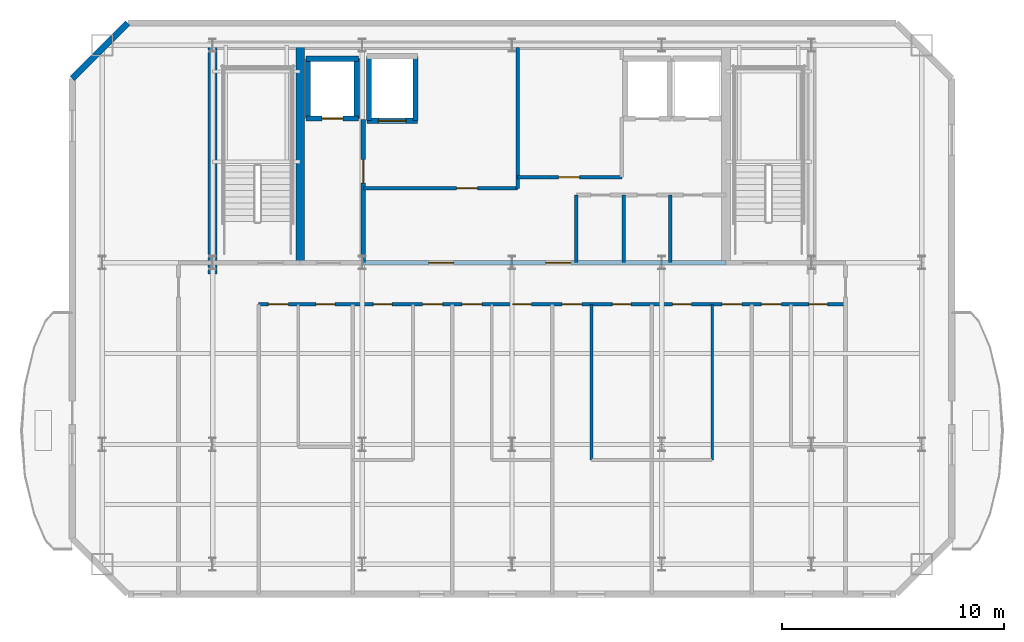
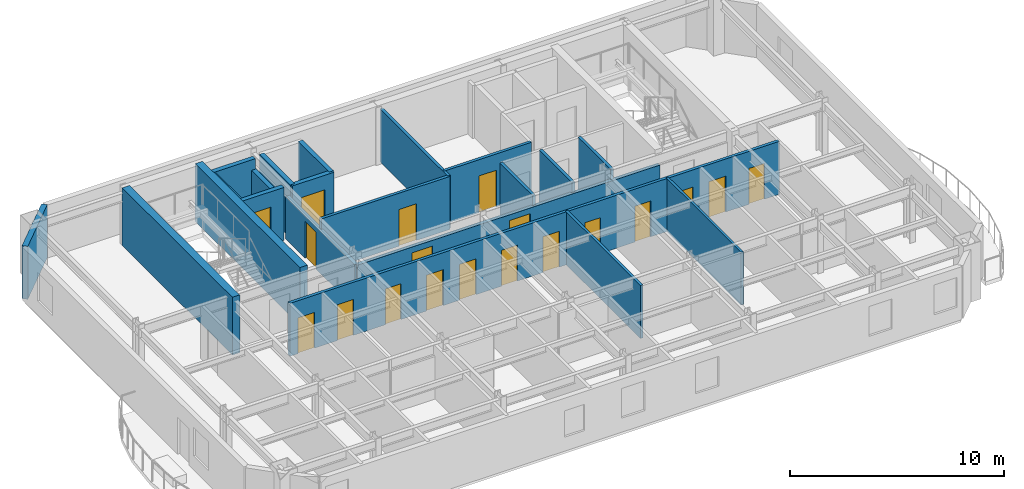
# One storey, part 3 of 6: 21 walls, 19 doors, 19 openings.
"""IFC4 building model written with IfcOpenShell, lengths in metres."""

from ifc_helpers import new_model, si_unit, direction, frame, frame_2d, origin, place, context, subcontext, project, spatial, rectangle, extrude, material, layer, layer_set, type_object, element, fill, save


model = new_model("IFC4")

# Units and contexts
model_context = context("Model", 3, precision=1e-05, world=origin(), true_north=direction((0.0, 1.0)))
body_context = subcontext(model_context, "Body", "Model", "MODEL_VIEW")
ifc_project = project(units=[si_unit("LENGTHUNIT", "METRE"), si_unit("AREAUNIT", "SQUARE_METRE"), si_unit("VOLUMEUNIT", "CUBIC_METRE"), si_unit("PLANEANGLEUNIT", "RADIAN"), si_unit("MASSUNIT", "GRAM", prefix="KILO")], contexts=[model_context])

# Site, building, storey
site_placement = place(None, origin())
site = spatial("IfcSite", under=ifc_project, at=site_placement, CompositionType="ELEMENT")
building_placement = place(site_placement, origin())
building = spatial("IfcBuilding", under=site, at=building_placement, Name="Haevon Station Towers", CompositionType="ELEMENT")
storey_placement = place(building_placement, frame((0.0, 0.0, 252.60009765625)))
storey = spatial("IfcBuildingStorey", under=building, at=storey_placement, Name="L70", CompositionType="ELEMENT", Elevation=252.60009765625)

# Wall, opening, door
ifc_material_1 = material(Name="Gypsum board on steel stud", Category="steel")
ifc_layer_1 = layer(ifc_material_1, 0.199951171875)
ifc_layer_set_1 = layer_set([ifc_layer_1], Name="Gypsum board on steel stud")
wall_type_1 = type_object("IfcWallType", Name="WL-COR200", PredefinedType="PARTITIONING", material=ifc_layer_set_1)
wall_1_placement = place(storey_placement, frame((30.800048828125, 38.199951171875, 0.0), z_axis=(0.0, 0.0, 1.0), x_axis=(0.0, 1.0, 0.0)))
wall_1 = element("IfcWall", 1, at=wall_1_placement, inside=storey, type_object=wall_type_1, Name="WL-T1FFL-L70-E", PredefinedType="PARTITIONING", context=body_context, shape_type="SweptSolid", body=[
    extrude(rectangle(XDim=6.449951171875, YDim=0.199951171875, at=frame_2d((3.22509765625, 0.0))), origin(), (0.0, 0.0, 1.0), 2.429931640625),
])
opening_1_placement = place(wall_1_placement, frame((3.590087890625, 0.0, 0.0)))
opening_1 = element("IfcOpeningElement", 2, at=opening_1_placement, cuts=wall_1, Name="Opening DR-T1FFL-L70-E", PredefinedType="OPENING", context=body_context, shape_type="SweptSolid", body=[
    extrude(rectangle(XDim=1.050048828125, YDim=2.10009765625, at=frame_2d((0.52490234375, 1.050048828125))), frame((0.0, 0.10986328125, 0.0), z_axis=(0.0, -1.0, 0.0), x_axis=(1.0, 0.0, 0.0)), (0.0, 0.0, 1.0), 0.219970703125),
])
ifc_material_2 = material(Name="Engineered oak timber", Category="wood")
door_type_1 = type_object("IfcDoorType", Name="DR-FD60-1050", OperationType="NOTDEFINED", PredefinedType="DOOR", material=ifc_material_2)
door_1_placement = place(opening_1_placement, origin())
door_1 = element("IfcDoor", 3, at=door_1_placement, inside=storey, type_object=door_type_1, Name="L70 Tower 1 Firefighting Lift Lobby Door E", OperationType="SINGLE_SWING_LEFT", OverallHeight=2.10009765625, OverallWidth=1.050048828125, PredefinedType="DOOR", context=body_context, shape_type="SweptSolid", body=[
    extrude(rectangle(XDim=1.050048828125, YDim=2.10009765625, at=frame_2d((0.52490234375, 1.050048828125))), frame((0.0, 0.02490234375, 0.0), z_axis=(0.0, -1.0, 0.0), x_axis=(1.0, 0.0, 0.0)), (0.0, 0.0, 1.0), 0.050048828125),
])
fill(opening_1, door_1)

# Wall, openings, doors
wall_2_placement = place(storey_placement, frame((30.800048828125, 38.199951171875, 0.0), z_axis=(0.0, 0.0, 1.0), x_axis=(1.0, 0.0, 0.0)))
wall_2 = element("IfcWall", 4, at=wall_2_placement, inside=storey, type_object=wall_type_1, Name="WL-T1CLB-L70", PredefinedType="PARTITIONING", context=body_context, shape_type="SweptSolid", body=[
    extrude(rectangle(XDim=16.349853515625, YDim=0.199951171875, at=frame_2d((8.1748046875, 0.0))), origin(), (0.0, 0.0, 1.0), 2.429931640625),
])
opening_2_placement = place(wall_2_placement, frame((2.949951171875, 0.0, 0.0)))
opening_2 = element("IfcOpeningElement", 5, at=opening_2_placement, cuts=wall_2, Name="Opening DR-T1CLB-L70-1", PredefinedType="OPENING", context=body_context, shape_type="SweptSolid", body=[
    extrude(rectangle(XDim=1.1201171875, YDim=2.10009765625, at=frame_2d((0.56005859375, 1.050048828125))), frame((0.0, 0.10986328125, 0.0), z_axis=(0.0, -1.0, 0.0), x_axis=(1.0, 0.0, 0.0)), (0.0, 0.0, 1.0), 0.219970703125),
])
opening_3_placement = place(wall_2_placement, frame((8.22998046875, 0.0, 0.0)))
opening_3 = element("IfcOpeningElement", 6, at=opening_3_placement, cuts=wall_2, Name="Opening DR-T1CLB-L70-2", PredefinedType="OPENING", context=body_context, shape_type="SweptSolid", body=[
    extrude(rectangle(XDim=1.1201171875, YDim=2.10009765625, at=frame_2d((0.56005859375, 1.050048828125))), frame((0.0, 0.10986328125, 0.0), z_axis=(0.0, -1.0, 0.0), x_axis=(1.0, 0.0, 0.0)), (0.0, 0.0, 1.0), 0.219970703125),
])
door_type_2 = type_object("IfcDoorType", Name="DR-ST-1120", OperationType="NOTDEFINED", PredefinedType="DOOR", material=ifc_material_2)
door_2_placement = place(opening_2_placement, origin())
door_2 = element("IfcDoor", 7, at=door_2_placement, inside=storey, type_object=door_type_2, Name="L70 Tower 1 Core Lift Lobby Door 1", OperationType="SINGLE_SWING_LEFT", OverallHeight=2.10009765625, OverallWidth=1.1201171875, PredefinedType="DOOR", context=body_context, shape_type="SweptSolid", body=[
    extrude(rectangle(XDim=1.1201171875, YDim=2.10009765625, at=frame_2d((0.56005859375, 1.050048828125))), frame((0.0, 0.02490234375, 0.0), z_axis=(0.0, -1.0, 0.0), x_axis=(1.0, 0.0, 0.0)), (0.0, 0.0, 1.0), 0.050048828125),
])
fill(opening_2, door_2)
door_3_placement = place(opening_3_placement, origin())
door_3 = element("IfcDoor", 8, at=door_3_placement, inside=storey, type_object=door_type_2, Name="L70 Tower 1 Core Lift Lobby Door 2", OperationType="SINGLE_SWING_RIGHT", OverallHeight=2.10009765625, OverallWidth=1.1201171875, PredefinedType="DOOR", context=body_context, shape_type="SweptSolid", body=[
    extrude(rectangle(XDim=1.1201171875, YDim=2.10009765625, at=frame_2d((0.56005859375, 1.050048828125))), frame((0.0, 0.02490234375, 0.0), z_axis=(0.0, -1.0, 0.0), x_axis=(1.0, 0.0, 0.0)), (0.0, 0.0, 1.0), 0.050048828125),
])
fill(opening_3, door_3)

# Walls
ifc_material_3 = material(Name="Concrete C60/75", Category="concrete")
ifc_layer_2 = layer(ifc_material_3, 0.39990234375)
ifc_layer_set_2 = layer_set([ifc_layer_2], Name="Concrete C60/75")
wall_type_2 = type_object("IfcWallType", Name="WL-CR400", PredefinedType="SHEAR", material=ifc_layer_set_2)
wall_3_placement = place(storey_placement, frame((24.0, 37.679931640625, 0.0), z_axis=(0.0, 0.0, 1.0), x_axis=(0.0, 1.0, 0.0)))
element("IfcWall", 9, at=wall_3_placement, inside=storey, type_object=wall_type_2, Name="WL-T1CR-L70-W", PredefinedType="SHEAR", context=body_context, shape_type="SweptSolid", body=[
    extrude(rectangle(XDim=10.320068359375, YDim=0.39990234375, at=frame_2d((5.16015625, 0.0))), origin(), (0.0, 0.0, 1.0), 3.2998046875),
])
wall_4_placement = place(storey_placement, frame((27.949951171875, 38.199951171875, 0.0), z_axis=(0.0, 0.0, 1.0), x_axis=(0.0, 1.0, 0.0)))
element("IfcWall", 10, at=wall_4_placement, inside=storey, type_object=wall_type_2, Name="WL-T1CR-L70-M1", PredefinedType="SHEAR", context=body_context, shape_type="SweptSolid", body=[
    extrude(rectangle(XDim=9.800048828125, YDim=0.39990234375, at=frame_2d((4.89990234375, 0.0))), origin(), (0.0, 0.0, 1.0), 3.2998046875),
])
ifc_material_4 = material(Name="Precast concrete C45/55", Category="concrete")
ifc_layer_3 = layer(ifc_material_4, 0.280029296875)
ifc_layer_set_3 = layer_set([ifc_layer_3], Name="Precast concrete C45/55")
wall_type_3 = type_object("IfcWallType", Name="WL-EXT-PIER280", PredefinedType="SOLIDWALL", material=ifc_layer_set_3)
wall_5_placement = place(storey_placement, frame((17.675048828125, 46.5, 0.0), z_axis=(0.0, 0.0, 1.0), x_axis=(0.707106781187, 0.707106781187, 0.0)))
element("IfcWall", 11, at=wall_5_placement, inside=storey, type_object=wall_type_3, Name="WL-T1-L70-NWC", PredefinedType="SOLIDWALL", context=body_context, shape_type="SweptSolid", body=[
    extrude(rectangle(XDim=3.53564453125, YDim=0.280029296875, at=frame_2d((1.767822265625, 0.0))), origin(), (0.0, 0.0, 1.0), 3.02978515625),
])
ifc_layer_4 = layer(ifc_material_1, 0.125)
ifc_layer_set_4 = layer_set([ifc_layer_4], Name="Gypsum board on steel stud")
wall_type_4 = type_object("IfcWallType", Name="WL-PRT125", PredefinedType="PARTITIONING", material=ifc_layer_set_4)
wall_6_placement = place(storey_placement, frame((46.524658203125, 29.296630859375, 0.0), z_axis=(0.0, 0.0, 1.0), x_axis=(0.0, 1.0, 0.0)))
element("IfcWall", 12, at=wall_6_placement, inside=storey, type_object=wall_type_4, Name="WL-T1PT-L70-19", PredefinedType="PARTITIONING", context=body_context, shape_type="SweptSolid", body=[
    extrude(rectangle(XDim=7.0234375, YDim=0.125, at=frame_2d((3.51171875, 0.0))), origin(), (0.0, 0.0, 1.0), 3.02978515625),
])
ifc_layer_5 = layer(ifc_material_1, 0.139892578125)
ifc_layer_set_5 = layer_set([ifc_layer_5], Name="Gypsum board on steel stud")
wall_type_5 = type_object("IfcWallType", Name="WL-PRT140", PredefinedType="PARTITIONING", material=ifc_layer_set_5)
wall_7_placement = place(storey_placement, frame((41.089111328125, 29.29638671875, 0.0), z_axis=(0.0, 0.0, 1.0), x_axis=(0.0, 1.0, 0.0)))
element("IfcWall", 13, at=wall_7_placement, inside=storey, type_object=wall_type_5, Name="WL-T1PT-L70-16", PredefinedType="PARTITIONING", context=body_context, shape_type="SweptSolid", body=[
    extrude(rectangle(XDim=7.023681640625, YDim=0.139892578125, at=frame_2d((3.51171875, 0.0))), origin(), (0.0, 0.0, 1.0), 3.02978515625),
])

# Wall, opening, door
ifc_layer_6 = layer(ifc_material_1, 0.159912109375)
ifc_layer_set_6 = layer_set([ifc_layer_6], Name="Gypsum board on steel stud")
wall_type_6 = type_object("IfcWallType", Name="WL-PRT160", PredefinedType="PARTITIONING", material=ifc_layer_set_6)
wall_8_placement = place(storey_placement, frame((30.800048828125, 41.550048828125, 0.0), z_axis=(0.0, 0.0, 1.0), x_axis=(1.0, 0.0, 0.0)))
wall_8 = element("IfcWall", 14, at=wall_8_placement, inside=storey, type_object=wall_type_6, Name="WL-T1CW-L70-01", PredefinedType="PARTITIONING", context=body_context, shape_type="SweptSolid", body=[
    extrude(rectangle(XDim=6.949951171875, YDim=0.159912109375, at=frame_2d((3.47509765625, 0.0))), origin(), (0.0, 0.0, 1.0), 3.02978515625),
])
opening_4_placement = place(wall_8_placement, frame((4.199951171875, 0.0, 0.0)))
opening_4 = element("IfcOpeningElement", 15, at=opening_4_placement, cuts=wall_8, Name="Opening DR-WL-T1CW-L70-01-1", PredefinedType="OPENING", context=body_context, shape_type="SweptSolid", body=[
    extrude(rectangle(XDim=0.949951171875, YDim=2.10009765625, at=frame_2d((0.47509765625, 1.050048828125))), frame((0.0, 0.08984375, 0.0), z_axis=(0.0, -1.0, 0.0), x_axis=(1.0, 0.0, 0.0)), (0.0, 0.0, 1.0), 0.179931640625),
])
door_type_3 = type_object("IfcDoorType", Name="DR-FD60-950", OperationType="NOTDEFINED", PredefinedType="DOOR", material=ifc_material_2)
door_4_placement = place(opening_4_placement, origin())
door_4 = element("IfcDoor", 16, at=door_4_placement, inside=storey, type_object=door_type_3, Name="L70 Tower 1 Core Room Door 1-1", OperationType="SINGLE_SWING_RIGHT", OverallHeight=2.10009765625, OverallWidth=0.949951171875, PredefinedType="DOOR", context=body_context, shape_type="SweptSolid", body=[
    extrude(rectangle(XDim=0.949951171875, YDim=2.10009765625, at=frame_2d((0.47509765625, 1.050048828125))), frame((0.0, 0.02490234375, 0.0), z_axis=(0.0, -1.0, 0.0), x_axis=(1.0, 0.0, 0.0)), (0.0, 0.0, 1.0), 0.050048828125),
])
fill(opening_4, door_4)

# Wall
wall_9_placement = place(storey_placement, frame((37.75, 41.550048828125, 0.0), z_axis=(0.0, 0.0, 1.0), x_axis=(0.0, 1.0, 0.0)))
element("IfcWall", 17, at=wall_9_placement, inside=storey, type_object=wall_type_6, Name="WL-T1CW-L70-02", PredefinedType="PARTITIONING", context=body_context, shape_type="SweptSolid", body=[
    extrude(rectangle(XDim=6.349853515625, YDim=0.159912109375, at=frame_2d((3.1748046875, 0.0))), origin(), (0.0, 0.0, 1.0), 3.02978515625),
])

# Wall, opening, door
wall_10_placement = place(storey_placement, frame((37.75, 42.050048828125, 0.0), z_axis=(0.0, 0.0, 1.0), x_axis=(1.0, 0.0, 0.0)))
wall_10 = element("IfcWall", 18, at=wall_10_placement, inside=storey, type_object=wall_type_6, Name="WL-T1CW-L70-03", PredefinedType="PARTITIONING", context=body_context, shape_type="SweptSolid", body=[
    extrude(rectangle(XDim=4.699951171875, YDim=0.159912109375, at=frame_2d((2.35009765625, 0.0))), origin(), (0.0, 0.0, 1.0), 3.02978515625),
])
opening_5_placement = place(wall_10_placement, frame((1.85009765625, 0.0, 0.0)))
opening_5 = element("IfcOpeningElement", 19, at=opening_5_placement, cuts=wall_10, Name="Opening DR-WL-T1CW-L70-03-1", PredefinedType="OPENING", context=body_context, shape_type="SweptSolid", body=[
    extrude(rectangle(XDim=0.949951171875, YDim=2.10009765625, at=frame_2d((0.47509765625, 1.050048828125))), frame((0.0, 0.08984375, 0.0), z_axis=(0.0, -1.0, 0.0), x_axis=(1.0, 0.0, 0.0)), (0.0, 0.0, 1.0), 0.179931640625),
])
door_5_placement = place(opening_5_placement, origin())
door_5 = element("IfcDoor", 20, at=door_5_placement, inside=storey, type_object=door_type_3, Name="L70 Tower 1 Core Room Door 3-1", OperationType="SINGLE_SWING_LEFT", OverallHeight=2.10009765625, OverallWidth=0.949951171875, PredefinedType="DOOR", context=body_context, shape_type="SweptSolid", body=[
    extrude(rectangle(XDim=0.949951171875, YDim=2.10009765625, at=frame_2d((0.47509765625, 1.050048828125))), frame((0.0, 0.02490234375, 0.0), z_axis=(0.0, -1.0, 0.0), x_axis=(1.0, 0.0, 0.0)), (0.0, 0.0, 1.0), 0.050048828125),
])
fill(opening_5, door_5)

# Walls
for number, where, z_axis, x_axis, name in (
    (21, (40.39990234375, 38.199951171875, 0.0), (0.0, 0.0, 1.0), (0.0, 1.0, 0.0), "WL-T1CW-L70-06"),
    (22, (42.530029296875, 38.199951171875, 0.0), (0.0, 0.0, 1.0), (0.0, 1.0, 0.0), "WL-T1CW-L70-07"),
    (23, (44.6298828125, 38.199951171875, 0.0), (0.0, 0.0, 1.0), (0.0, 1.0, 0.0), "WL-T1CW-L70-08"),
):
    element("IfcWall", number, at=place(storey_placement, frame(where, z_axis=z_axis, x_axis=x_axis)), inside=storey, type_object=wall_type_6, Name=name, PredefinedType="PARTITIONING", context=body_context, shape_type="SweptSolid", body=[
        extrude(rectangle(XDim=3.050048828125, YDim=0.159912109375, at=frame_2d((1.52490234375, 0.0))), origin(), (0.0, 0.0, 1.0), 3.02978515625),
    ])

# Wall, openings, doors
wall_11_placement = place(storey_placement, frame((26.080078125, 36.320068359375, 0.0), z_axis=(0.0, 0.0, 1.0), x_axis=(1.0, 0.0, 0.0)))
wall_11 = element("IfcWall", 24, at=wall_11_placement, inside=storey, type_object=wall_type_6, Name="WL-T1PT-L70-23", PredefinedType="PARTITIONING", context=body_context, shape_type="SweptSolid", body=[
    extrude(rectangle(XDim=26.4580078125, YDim=0.159912109375, at=frame_2d((13.22900390625, 0.0))), origin(), (0.0, 0.0, 1.0), 3.02978515625),
])
opening_6_placement = place(wall_11_placement, frame((2.58203125, 0.0, 0.0)))
opening_6 = element("IfcOpeningElement", 25, at=opening_6_placement, cuts=wall_11, Name="Opening DR-WL-T1PT-L70-23-01", PredefinedType="OPENING", context=body_context, shape_type="SweptSolid", body=[
    extrude(rectangle(XDim=0.85009765625, YDim=2.050048828125, at=frame_2d((0.425048828125, 1.02490234375))), frame((0.0, 0.08984375, 0.0), z_axis=(0.0, -1.0, 0.0), x_axis=(1.0, 0.0, 0.0)), (0.0, 0.0, 1.0), 0.179931640625),
])
opening_7_placement = place(wall_11_placement, frame((0.43994140625, 0.0, 0.0)))
opening_7 = element("IfcOpeningElement", 26, at=opening_7_placement, cuts=wall_11, Name="Opening DR-WL-T1PT-L70-23-02", PredefinedType="OPENING", context=body_context, shape_type="SweptSolid", body=[
    extrude(rectangle(XDim=0.89990234375, YDim=2.050048828125, at=frame_2d((0.449951171875, 1.02490234375))), frame((0.0, 0.08984375, 0.0), z_axis=(0.0, -1.0, 0.0), x_axis=(1.0, 0.0, 0.0)), (0.0, 0.0, 1.0), 0.179931640625),
])
opening_8_placement = place(wall_11_placement, frame((5.1669921875, 0.0, 0.0)))
opening_8 = element("IfcOpeningElement", 27, at=opening_8_placement, cuts=wall_11, Name="Opening DR-WL-T1PT-L70-23-03", PredefinedType="OPENING", context=body_context, shape_type="SweptSolid", body=[
    extrude(rectangle(XDim=0.85009765625, YDim=2.050048828125, at=frame_2d((0.425048828125, 1.02490234375))), frame((0.0, 0.08984375, 0.0), z_axis=(0.0, -1.0, 0.0), x_axis=(1.0, 0.0, 0.0)), (0.0, 0.0, 1.0), 0.179931640625),
])
opening_9_placement = place(wall_11_placement, frame((7.39111328125, 0.0, 0.0)))
opening_9 = element("IfcOpeningElement", 28, at=opening_9_placement, cuts=wall_11, Name="Opening DR-WL-T1PT-L70-23-04", PredefinedType="OPENING", context=body_context, shape_type="SweptSolid", body=[
    extrude(rectangle(XDim=0.89990234375, YDim=2.050048828125, at=frame_2d((0.449951171875, 1.02490234375))), frame((0.0, 0.08984375, 0.0), z_axis=(0.0, -1.0, 0.0), x_axis=(1.0, 0.0, 0.0)), (0.0, 0.0, 1.0), 0.179931640625),
])
opening_10_placement = place(wall_11_placement, frame((11.445068359375, 0.0, 0.0)))
opening_10 = element("IfcOpeningElement", 29, at=opening_10_placement, cuts=wall_11, Name="Opening DR-WL-T1PT-L70-23-05", PredefinedType="OPENING", context=body_context, shape_type="SweptSolid", body=[
    extrude(rectangle(XDim=0.85009765625, YDim=2.050048828125, at=frame_2d((0.425048828125, 1.02490234375))), frame((0.0, 0.08984375, 0.0), z_axis=(0.0, -1.0, 0.0), x_axis=(1.0, 0.0, 0.0)), (0.0, 0.0, 1.0), 0.179931640625),
])
opening_11_placement = place(wall_11_placement, frame((9.1708984375, 0.0, 0.0)))
opening_11 = element("IfcOpeningElement", 30, at=opening_11_placement, cuts=wall_11, Name="Opening DR-WL-T1PT-L70-23-06", PredefinedType="OPENING", context=body_context, shape_type="SweptSolid", body=[
    extrude(rectangle(XDim=0.89990234375, YDim=2.050048828125, at=frame_2d((0.449951171875, 1.02490234375))), frame((0.0, 0.08984375, 0.0), z_axis=(0.0, -1.0, 0.0), x_axis=(1.0, 0.0, 0.0)), (0.0, 0.0, 1.0), 0.179931640625),
])
opening_12_placement = place(wall_11_placement, frame((15.943115234375, 0.0, 0.0)))
opening_12 = element("IfcOpeningElement", 31, at=opening_12_placement, cuts=wall_11, Name="Opening DR-WL-T1PT-L70-23-07", PredefinedType="OPENING", context=body_context, shape_type="SweptSolid", body=[
    extrude(rectangle(XDim=0.85009765625, YDim=2.050048828125, at=frame_2d((0.425048828125, 1.02490234375))), frame((0.0, 0.08984375, 0.0), z_axis=(0.0, -1.0, 0.0), x_axis=(1.0, 0.0, 0.0)), (0.0, 0.0, 1.0), 0.179931640625),
])
opening_13_placement = place(wall_11_placement, frame((13.6689453125, 0.0, 0.0)))
opening_13 = element("IfcOpeningElement", 32, at=opening_13_placement, cuts=wall_11, Name="Opening DR-WL-T1PT-L70-23-08", PredefinedType="OPENING", context=body_context, shape_type="SweptSolid", body=[
    extrude(rectangle(XDim=0.89990234375, YDim=2.050048828125, at=frame_2d((0.449951171875, 1.02490234375))), frame((0.0, 0.08984375, 0.0), z_axis=(0.0, -1.0, 0.0), x_axis=(1.0, 0.0, 0.0)), (0.0, 0.0, 1.0), 0.179931640625),
])
opening_14_placement = place(wall_11_placement, frame((18.660888671875, 0.0, 0.0)))
opening_14 = element("IfcOpeningElement", 33, at=opening_14_placement, cuts=wall_11, Name="Opening DR-WL-T1PT-L70-23-09", PredefinedType="OPENING", context=body_context, shape_type="SweptSolid", body=[
    extrude(rectangle(XDim=0.85009765625, YDim=2.050048828125, at=frame_2d((0.425048828125, 1.02490234375))), frame((0.0, 0.08984375, 0.0), z_axis=(0.0, -1.0, 0.0), x_axis=(1.0, 0.0, 0.0)), (0.0, 0.0, 1.0), 0.179931640625),
])
opening_15_placement = place(wall_11_placement, frame((20.885009765625, 0.0, 0.0)))
opening_15 = element("IfcOpeningElement", 34, at=opening_15_placement, cuts=wall_11, Name="Opening DR-WL-T1PT-L70-23-10", PredefinedType="OPENING", context=body_context, shape_type="SweptSolid", body=[
    extrude(rectangle(XDim=0.89990234375, YDim=2.050048828125, at=frame_2d((0.449951171875, 1.02490234375))), frame((0.0, 0.08984375, 0.0), z_axis=(0.0, -1.0, 0.0), x_axis=(1.0, 0.0, 0.0)), (0.0, 0.0, 1.0), 0.179931640625),
])
opening_16_placement = place(wall_11_placement, frame((24.805908203125, 0.0, 0.0)))
opening_16 = element("IfcOpeningElement", 35, at=opening_16_placement, cuts=wall_11, Name="Opening DR-WL-T1PT-L70-23-11", PredefinedType="OPENING", context=body_context, shape_type="SweptSolid", body=[
    extrude(rectangle(XDim=0.85009765625, YDim=2.050048828125, at=frame_2d((0.425048828125, 1.02490234375))), frame((0.0, 0.08984375, 0.0), z_axis=(0.0, -1.0, 0.0), x_axis=(1.0, 0.0, 0.0)), (0.0, 0.0, 1.0), 0.179931640625),
])
opening_17_placement = place(wall_11_placement, frame((22.6650390625, 0.0, 0.0)))
opening_17 = element("IfcOpeningElement", 36, at=opening_17_placement, cuts=wall_11, Name="Opening DR-WL-T1PT-L70-23-12", PredefinedType="OPENING", context=body_context, shape_type="SweptSolid", body=[
    extrude(rectangle(XDim=0.89990234375, YDim=2.050048828125, at=frame_2d((0.449951171875, 1.02490234375))), frame((0.0, 0.08984375, 0.0), z_axis=(0.0, -1.0, 0.0), x_axis=(1.0, 0.0, 0.0)), (0.0, 0.0, 1.0), 0.179931640625),
])
door_type_4 = type_object("IfcDoorType", Name="DR-FD30-850", OperationType="NOTDEFINED", PredefinedType="DOOR", material=ifc_material_2)
door_6_placement = place(opening_6_placement, origin())
door_6 = element("IfcDoor", 37, at=door_6_placement, inside=storey, type_object=door_type_4, Name="L70 Tower 1 Room Door 23-1", OperationType="SINGLE_SWING_LEFT", OverallHeight=2.050048828125, OverallWidth=0.85009765625, PredefinedType="DOOR", context=body_context, shape_type="SweptSolid", body=[
    extrude(rectangle(XDim=0.85009765625, YDim=2.050048828125, at=frame_2d((0.425048828125, 1.02490234375))), frame((0.0, 0.02490234375, 0.0), z_axis=(0.0, -1.0, 0.0), x_axis=(1.0, 0.0, 0.0)), (0.0, 0.0, 1.0), 0.050048828125),
])
fill(opening_6, door_6)
door_7_placement = place(opening_8_placement, origin())
door_7 = element("IfcDoor", 38, at=door_7_placement, inside=storey, type_object=door_type_4, Name="L70 Tower 1 Room Door 23-3", OperationType="SINGLE_SWING_LEFT", OverallHeight=2.050048828125, OverallWidth=0.85009765625, PredefinedType="DOOR", context=body_context, shape_type="SweptSolid", body=[
    extrude(rectangle(XDim=0.85009765625, YDim=2.050048828125, at=frame_2d((0.425048828125, 1.02490234375))), frame((0.0, 0.02490234375, 0.0), z_axis=(0.0, -1.0, 0.0), x_axis=(1.0, 0.0, 0.0)), (0.0, 0.0, 1.0), 0.050048828125),
])
fill(opening_8, door_7)
door_8_placement = place(opening_10_placement, origin())
door_8 = element("IfcDoor", 39, at=door_8_placement, inside=storey, type_object=door_type_4, Name="L70 Tower 1 Room Door 23-5", OperationType="SINGLE_SWING_LEFT", OverallHeight=2.050048828125, OverallWidth=0.85009765625, PredefinedType="DOOR", context=body_context, shape_type="SweptSolid", body=[
    extrude(rectangle(XDim=0.85009765625, YDim=2.050048828125, at=frame_2d((0.425048828125, 1.02490234375))), frame((0.0, 0.02490234375, 0.0), z_axis=(0.0, -1.0, 0.0), x_axis=(1.0, 0.0, 0.0)), (0.0, 0.0, 1.0), 0.050048828125),
])
fill(opening_10, door_8)
door_9_placement = place(opening_12_placement, origin())
door_9 = element("IfcDoor", 40, at=door_9_placement, inside=storey, type_object=door_type_4, Name="L70 Tower 1 Room Door 23-7", OperationType="SINGLE_SWING_LEFT", OverallHeight=2.050048828125, OverallWidth=0.85009765625, PredefinedType="DOOR", context=body_context, shape_type="SweptSolid", body=[
    extrude(rectangle(XDim=0.85009765625, YDim=2.050048828125, at=frame_2d((0.425048828125, 1.02490234375))), frame((0.0, 0.02490234375, 0.0), z_axis=(0.0, -1.0, 0.0), x_axis=(1.0, 0.0, 0.0)), (0.0, 0.0, 1.0), 0.050048828125),
])
fill(opening_12, door_9)
door_10_placement = place(opening_14_placement, origin())
door_10 = element("IfcDoor", 41, at=door_10_placement, inside=storey, type_object=door_type_4, Name="L70 Tower 1 Room Door 23-9", OperationType="SINGLE_SWING_LEFT", OverallHeight=2.050048828125, OverallWidth=0.85009765625, PredefinedType="DOOR", context=body_context, shape_type="SweptSolid", body=[
    extrude(rectangle(XDim=0.85009765625, YDim=2.050048828125, at=frame_2d((0.425048828125, 1.02490234375))), frame((0.0, 0.02490234375, 0.0), z_axis=(0.0, -1.0, 0.0), x_axis=(1.0, 0.0, 0.0)), (0.0, 0.0, 1.0), 0.050048828125),
])
fill(opening_14, door_10)
door_11_placement = place(opening_16_placement, origin())
door_11 = element("IfcDoor", 42, at=door_11_placement, inside=storey, type_object=door_type_4, Name="L70 Tower 1 Room Door 23-11", OperationType="SINGLE_SWING_LEFT", OverallHeight=2.050048828125, OverallWidth=0.85009765625, PredefinedType="DOOR", context=body_context, shape_type="SweptSolid", body=[
    extrude(rectangle(XDim=0.85009765625, YDim=2.050048828125, at=frame_2d((0.425048828125, 1.02490234375))), frame((0.0, 0.02490234375, 0.0), z_axis=(0.0, -1.0, 0.0), x_axis=(1.0, 0.0, 0.0)), (0.0, 0.0, 1.0), 0.050048828125),
])
fill(opening_16, door_11)
door_type_5 = type_object("IfcDoorType", Name="DR-INT-900", OperationType="NOTDEFINED", PredefinedType="DOOR", material=ifc_material_2)
door_12_placement = place(opening_7_placement, origin())
door_12 = element("IfcDoor", 43, at=door_12_placement, inside=storey, type_object=door_type_5, Name="L70 Tower 1 Room Door 23-2", OperationType="SINGLE_SWING_RIGHT", OverallHeight=2.050048828125, OverallWidth=0.89990234375, PredefinedType="DOOR", context=body_context, shape_type="SweptSolid", body=[
    extrude(rectangle(XDim=0.89990234375, YDim=2.050048828125, at=frame_2d((0.449951171875, 1.02490234375))), frame((0.0, 0.02490234375, 0.0), z_axis=(0.0, -1.0, 0.0), x_axis=(1.0, 0.0, 0.0)), (0.0, 0.0, 1.0), 0.050048828125),
])
fill(opening_7, door_12)
door_13_placement = place(opening_9_placement, origin())
door_13 = element("IfcDoor", 44, at=door_13_placement, inside=storey, type_object=door_type_5, Name="L70 Tower 1 Room Door 23-4", OperationType="SINGLE_SWING_RIGHT", OverallHeight=2.050048828125, OverallWidth=0.89990234375, PredefinedType="DOOR", context=body_context, shape_type="SweptSolid", body=[
    extrude(rectangle(XDim=0.89990234375, YDim=2.050048828125, at=frame_2d((0.449951171875, 1.02490234375))), frame((0.0, 0.02490234375, 0.0), z_axis=(0.0, -1.0, 0.0), x_axis=(1.0, 0.0, 0.0)), (0.0, 0.0, 1.0), 0.050048828125),
])
fill(opening_9, door_13)
door_14_placement = place(opening_11_placement, origin())
door_14 = element("IfcDoor", 45, at=door_14_placement, inside=storey, type_object=door_type_5, Name="L70 Tower 1 Room Door 23-6", OperationType="SINGLE_SWING_RIGHT", OverallHeight=2.050048828125, OverallWidth=0.89990234375, PredefinedType="DOOR", context=body_context, shape_type="SweptSolid", body=[
    extrude(rectangle(XDim=0.89990234375, YDim=2.050048828125, at=frame_2d((0.449951171875, 1.02490234375))), frame((0.0, 0.02490234375, 0.0), z_axis=(0.0, -1.0, 0.0), x_axis=(1.0, 0.0, 0.0)), (0.0, 0.0, 1.0), 0.050048828125),
])
fill(opening_11, door_14)
door_15_placement = place(opening_13_placement, origin())
door_15 = element("IfcDoor", 46, at=door_15_placement, inside=storey, type_object=door_type_5, Name="L70 Tower 1 Room Door 23-8", OperationType="SINGLE_SWING_RIGHT", OverallHeight=2.050048828125, OverallWidth=0.89990234375, PredefinedType="DOOR", context=body_context, shape_type="SweptSolid", body=[
    extrude(rectangle(XDim=0.89990234375, YDim=2.050048828125, at=frame_2d((0.449951171875, 1.02490234375))), frame((0.0, 0.02490234375, 0.0), z_axis=(0.0, -1.0, 0.0), x_axis=(1.0, 0.0, 0.0)), (0.0, 0.0, 1.0), 0.050048828125),
])
fill(opening_13, door_15)
door_16_placement = place(opening_15_placement, origin())
door_16 = element("IfcDoor", 47, at=door_16_placement, inside=storey, type_object=door_type_5, Name="L70 Tower 1 Room Door 23-10", OperationType="SINGLE_SWING_RIGHT", OverallHeight=2.050048828125, OverallWidth=0.89990234375, PredefinedType="DOOR", context=body_context, shape_type="SweptSolid", body=[
    extrude(rectangle(XDim=0.89990234375, YDim=2.050048828125, at=frame_2d((0.449951171875, 1.02490234375))), frame((0.0, 0.02490234375, 0.0), z_axis=(0.0, -1.0, 0.0), x_axis=(1.0, 0.0, 0.0)), (0.0, 0.0, 1.0), 0.050048828125),
])
fill(opening_15, door_16)
door_17_placement = place(opening_17_placement, origin())
door_17 = element("IfcDoor", 48, at=door_17_placement, inside=storey, type_object=door_type_5, Name="L70 Tower 1 Room Door 23-12", OperationType="SINGLE_SWING_RIGHT", OverallHeight=2.050048828125, OverallWidth=0.89990234375, PredefinedType="DOOR", context=body_context, shape_type="SweptSolid", body=[
    extrude(rectangle(XDim=0.89990234375, YDim=2.050048828125, at=frame_2d((0.449951171875, 1.02490234375))), frame((0.0, 0.02490234375, 0.0), z_axis=(0.0, -1.0, 0.0), x_axis=(1.0, 0.0, 0.0)), (0.0, 0.0, 1.0), 0.050048828125),
])
fill(opening_17, door_17)

# Wall, opening, door
ifc_material_5 = material(Name="Concrete C40/50", Category="concrete")
ifc_layer_7 = layer(ifc_material_5, 0.239990234375)
ifc_layer_set_7 = layer_set([ifc_layer_7], Name="Concrete C40/50")
wall_type_7 = type_object("IfcWallType", Name="WL-SHF240", PredefinedType="PARTITIONING", material=ifc_layer_set_7)
wall_12_placement = place(storey_placement, frame((28.219970703125, 44.699951171875, 0.0), z_axis=(0.0, 0.0, 1.0), x_axis=(1.0, 0.0, 0.0)))
wall_12 = element("IfcWall", 49, at=wall_12_placement, inside=storey, type_object=wall_type_7, Name="WL-SHF-FL1-L70", PredefinedType="PARTITIONING", context=body_context, shape_type="SweptSolid", body=[
    extrude(rectangle(XDim=2.360107421875, YDim=0.239990234375, at=frame_2d((1.18017578125, 0.0))), origin(), (0.0, 0.0, 1.0), 3.02978515625),
])
opening_18_placement = place(wall_12_placement, frame((0.705078125, 0.0, 0.0)))
opening_18 = element("IfcOpeningElement", 50, at=opening_18_placement, cuts=wall_12, Name="Opening LD-FL1-L70", PredefinedType="OPENING", context=body_context, shape_type="SweptSolid", body=[
    extrude(rectangle(XDim=0.949951171875, YDim=2.14990234375, at=frame_2d((0.47509765625, 1.074951171875))), frame((0.0, 0.1298828125, 0.0), z_axis=(0.0, -1.0, 0.0), x_axis=(1.0, 0.0, 0.0)), (0.0, 0.0, 1.0), 0.260009765625),
])
ifc_material_6 = material(Name="Stainless steel and rated core", Category="steel")
door_type_6 = type_object("IfcDoorType", Name="LD-FL950", OperationType="SLIDING_TO_LEFT", PredefinedType="DOOR", material=ifc_material_6)
door_18_placement = place(opening_18_placement, origin())
door_18 = element("IfcDoor", 51, at=door_18_placement, inside=storey, type_object=door_type_6, Name="L70 Lift FL1 Sliding Landing Door", OperationType="SLIDING_TO_LEFT", OverallHeight=2.14990234375, OverallWidth=0.949951171875, PredefinedType="DOOR", context=body_context, shape_type="SweptSolid", body=[
    extrude(rectangle(XDim=0.949951171875, YDim=2.14990234375, at=frame_2d((0.47509765625, 1.074951171875))), frame((0.0, 0.02490234375, 0.0), z_axis=(0.0, -1.0, 0.0), x_axis=(1.0, 0.0, 0.0)), (0.0, 0.0, 1.0), 0.050048828125),
])
fill(opening_18, door_18)

# Walls
wall_13_placement = place(storey_placement, frame((28.219970703125, 47.39990234375, 0.0), z_axis=(0.0, 0.0, 1.0), x_axis=(1.0, 0.0, 0.0)))
element("IfcWall", 52, at=wall_13_placement, inside=storey, type_object=wall_type_7, Name="WL-SHF-FL1-L70-N", PredefinedType="PARTITIONING", context=body_context, shape_type="SweptSolid", body=[
    extrude(rectangle(XDim=2.360107421875, YDim=0.239990234375, at=frame_2d((1.18017578125, 0.0))), origin(), (0.0, 0.0, 1.0), 3.02978515625),
])
wall_14_placement = place(storey_placement, frame((28.300048828125, 44.699951171875, 0.0), z_axis=(0.0, 0.0, 1.0), x_axis=(0.0, 1.0, 0.0)))
element("IfcWall", 53, at=wall_14_placement, inside=storey, type_object=wall_type_7, Name="WL-SHF-FL1-L70-W", PredefinedType="PARTITIONING", context=body_context, shape_type="SweptSolid", body=[
    extrude(rectangle(XDim=2.699951171875, YDim=0.239990234375, at=frame_2d((1.35009765625, 0.0))), origin(), (0.0, 0.0, 1.0), 3.02978515625),
])
wall_15_placement = place(storey_placement, frame((30.5, 44.699951171875, 0.0), z_axis=(0.0, 0.0, 1.0), x_axis=(0.0, 1.0, 0.0)))
element("IfcWall", 54, at=wall_15_placement, inside=storey, type_object=wall_type_7, Name="WL-SHF-FL1-L70-E", PredefinedType="PARTITIONING", context=body_context, shape_type="SweptSolid", body=[
    extrude(rectangle(XDim=2.699951171875, YDim=0.239990234375, at=frame_2d((1.35009765625, 0.0))), origin(), (0.0, 0.0, 1.0), 2.429931640625),
])

# Wall, opening, door
wall_16_placement = place(storey_placement, frame((30.969970703125, 44.60009765625, 0.0), z_axis=(0.0, 0.0, 1.0), x_axis=(1.0, 0.0, 0.0)))
wall_16 = element("IfcWall", 55, at=wall_16_placement, inside=storey, type_object=wall_type_7, Name="WL-SHF-SL1-L70", PredefinedType="PARTITIONING", context=body_context, shape_type="SweptSolid", body=[
    extrude(rectangle(XDim=2.260009765625, YDim=0.239990234375, at=frame_2d((1.1298828125, 0.0))), origin(), (0.0, 0.0, 1.0), 3.02978515625),
])
opening_19_placement = place(wall_16_placement, frame((0.5048828125, 0.0, 0.0)))
opening_19 = element("IfcOpeningElement", 56, at=opening_19_placement, cuts=wall_16, Name="Opening LD-SL1-L70", PredefinedType="OPENING", context=body_context, shape_type="SweptSolid", body=[
    extrude(rectangle(XDim=1.25, YDim=2.199951171875, at=frame_2d((0.625, 1.10009765625))), frame((0.0, 0.1298828125, 0.0), z_axis=(0.0, -1.0, 0.0), x_axis=(1.0, 0.0, 0.0)), (0.0, 0.0, 1.0), 0.260009765625),
])
door_type_7 = type_object("IfcDoorType", Name="LD-SL1250", OperationType="SLIDING_TO_LEFT", PredefinedType="DOOR", material=ifc_material_6)
door_19_placement = place(opening_19_placement, origin())
door_19 = element("IfcDoor", 57, at=door_19_placement, inside=storey, type_object=door_type_7, Name="L70 Lift SL1 Sliding Landing Door", OperationType="SLIDING_TO_LEFT", OverallHeight=2.199951171875, OverallWidth=1.25, PredefinedType="DOOR", context=body_context, shape_type="SweptSolid", body=[
    extrude(rectangle(XDim=1.25, YDim=2.199951171875, at=frame_2d((0.625, 1.10009765625))), frame((0.0, 0.02490234375, 0.0), z_axis=(0.0, -1.0, 0.0), x_axis=(1.0, 0.0, 0.0)), (0.0, 0.0, 1.0), 0.050048828125),
])
fill(opening_19, door_19)

# Walls
for number, where, z_axis, x_axis, name in (
    (58, (31.050048828125, 44.60009765625, 0.0), (0.0, 0.0, 1.0), (0.0, 1.0, 0.0), "WL-SHF-SL1-L70-W"),
    (59, (33.14990234375, 44.60009765625, 0.0), (0.0, 0.0, 1.0), (0.0, 1.0, 0.0), "WL-SHF-SL1-L70-E"),
):
    element("IfcWall", number, at=place(storey_placement, frame(where, z_axis=z_axis, x_axis=x_axis)), inside=storey, type_object=wall_type_7, Name=name, PredefinedType="PARTITIONING", context=body_context, shape_type="SweptSolid", body=[
        extrude(rectangle(XDim=2.89990234375, YDim=0.239990234375, at=frame_2d((1.449951171875, 0.0))), origin(), (0.0, 0.0, 1.0), 3.02978515625),
    ])

save(model, "model.ifc")
